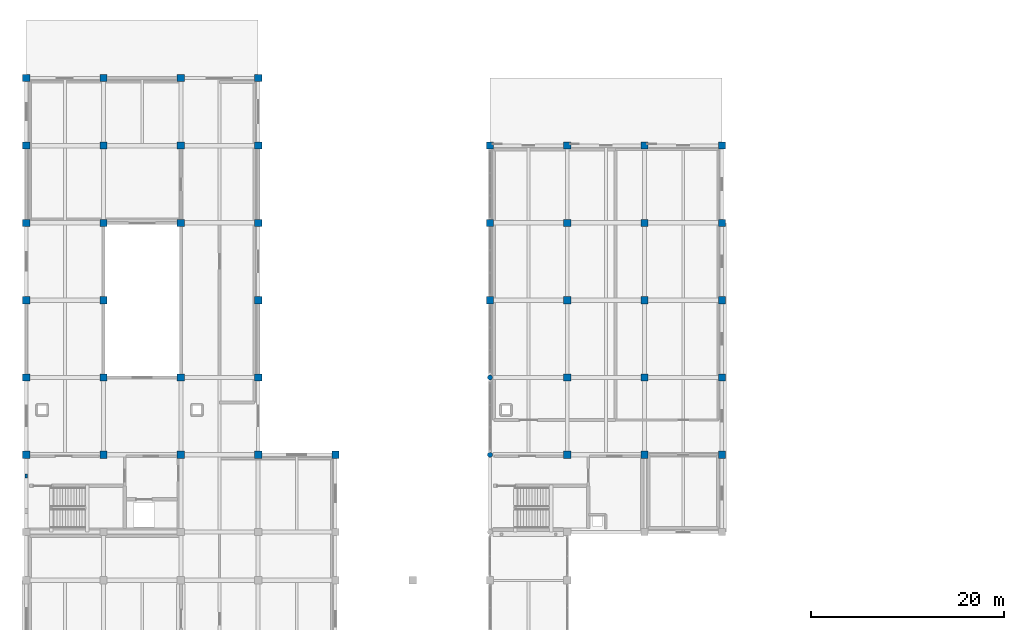
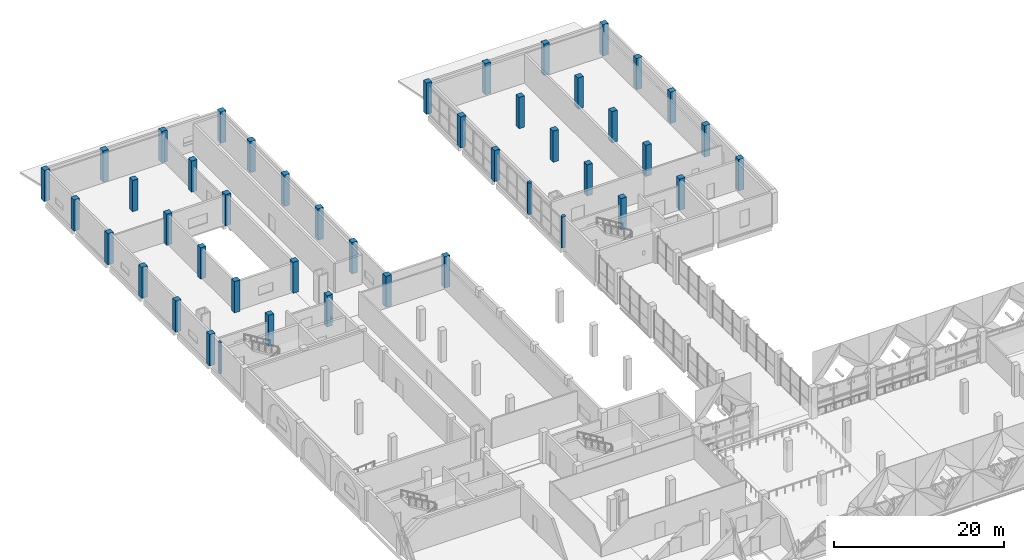
# One storey, part 3 of 53: 45 columns.
"""IFC4 building model written with IfcOpenShell, lengths in metres."""

from ifc_helpers import new_model, si_unit, direction, frame, origin, origin_2d, place, context, subcontext, project, spatial, rectangle, circle, extrude, material, material_profile, profile_set, type_object, element, save


model = new_model("IFC4")

# Units and contexts
model_context = context("Model", 3, precision=1e-05, world=origin(), true_north=direction((0.0, 1.0)))
body_context = subcontext(model_context, "Body", "Model", "MODEL_VIEW")
ifc_project = project(units=[si_unit("LENGTHUNIT", "METRE"), si_unit("AREAUNIT", "SQUARE_METRE"), si_unit("VOLUMEUNIT", "CUBIC_METRE"), si_unit("PLANEANGLEUNIT", "RADIAN"), si_unit("MASSUNIT", "GRAM", prefix="KILO")], contexts=[model_context])

# Site, building, storey
site_placement = place(None, origin())
site = spatial("IfcSite", under=ifc_project, at=site_placement, CompositionType="ELEMENT")
building_placement = place(site_placement, origin())
building = spatial("IfcBuilding", under=site, at=building_placement, Name="Qorikala Patio Media Centre", CompositionType="ELEMENT")
storey_placement = place(building_placement, frame((0.0, 0.0, 5.39990234375)))
storey = spatial("IfcBuildingStorey", under=building, at=storey_placement, Name="L01", CompositionType="ELEMENT", Elevation=5.39990234375)

# Columns
ifc_material_1 = material(Name="Comanche Granite and Concrete C35/45", Category="masonry")
ifc_material_profile_1 = material_profile(ifc_material_1, circle(Radius=0.260009765625, at=origin_2d()), Name="STONE COL D520")
ifc_profile_set_1 = profile_set([ifc_material_profile_1], Name="Comanche Granite and Concrete C35/45")
column_type_1 = type_object("IfcColumnType", Name="COL-ARC-520", PredefinedType="COLUMN", material=ifc_profile_set_1)
for number, where, z_axis, x_axis, name in (
    (1, (51.0, 72.0, 0.0), (0.0, 0.0, 1.0), (1.0, 0.0, 0.0), "L01 Column (51,72)"),
    (2, (51.0, 80.0, 0.0), (0.0, 0.0, 1.0), (1.0, 0.0, 0.0), "L01 Column (51,80)"),
):
    element("IfcColumn", number, at=place(storey_placement, frame(where, z_axis=z_axis, x_axis=x_axis)), inside=storey, type_object=column_type_1, Name=name, PredefinedType="COLUMN", context=body_context, shape_type="SweptSolid", body=[
        extrude(circle(Radius=0.260009765625, at=origin_2d()), origin(), (0.0, 0.0, 1.0), 4.5),
    ])
ifc_material_profile_2 = material_profile(ifc_material_1, rectangle(XDim=0.43994140625, YDim=0.280029296875, at=origin_2d()), Name="PIL 440x280")
ifc_profile_set_2 = profile_set([ifc_material_profile_2], Name="Comanche Granite and Concrete C35/45")
column_type_2 = type_object("IfcColumnType", Name="PIL-440X280", PredefinedType="PILASTER", material=ifc_profile_set_2)
column_placement = place(storey_placement, frame((3.0, 69.800048828125, 0.0), z_axis=(0.0, 0.0, 1.0), x_axis=(0.0, 1.0, 0.0)))
element("IfcColumn", 3, at=column_placement, inside=storey, type_object=column_type_2, Name="L01 West Street Core Pilaster 004", PredefinedType="PILASTER", context=body_context, shape_type="SweptSolid", body=[
    extrude(rectangle(XDim=0.43994140625, YDim=0.280029296875, at=origin_2d()), origin(), (0.0, 0.0, 1.0), 4.5),
])
ifc_material_2 = material(Name="Concrete C35/45", Category="concrete")
ifc_material_profile_3 = material_profile(ifc_material_2, rectangle(XDim=0.75, YDim=0.75, at=origin_2d()), Name="RC 750x750")
ifc_profile_set_3 = profile_set([ifc_material_profile_3], Name="Concrete C35/45")
column_type_3 = type_object("IfcColumnType", Name="RC-COL-750-EXT", PredefinedType="COLUMN", material=ifc_profile_set_3)
for number, where, z_axis, x_axis, name in (
    (4, (3.0, 72.0, 0.0), (0.0, 0.0, 1.0), (1.0, 0.0, 0.0), "L01 Column (3,72)"),
    (5, (3.0, 80.0, 0.0), (0.0, 0.0, 1.0), (1.0, 0.0, 0.0), "L01 Column (3,80)"),
    (6, (3.0, 88.0, 0.0), (0.0, 0.0, 1.0), (1.0, 0.0, 0.0), "L01 Column (3,88)"),
    (7, (3.0, 96.0, 0.0), (0.0, 0.0, 1.0), (1.0, 0.0, 0.0), "L01 Column (3,96)"),
    (8, (3.0, 104.0, 0.0), (0.0, 0.0, 1.0), (1.0, 0.0, 0.0), "L01 Column (3,104)"),
    (9, (3.0, 111.0, 0.0), (0.0, 0.0, 1.0), (1.0, 0.0, 0.0), "L01 Column (3,111)"),
    (10, (11.0, 111.0, 0.0), (0.0, 0.0, 1.0), (1.0, 0.0, 0.0), "L01 Column (11,111)"),
    (11, (19.0, 111.0, 0.0), (0.0, 0.0, 1.0), (1.0, 0.0, 0.0), "L01 Column (19,111)"),
    (12, (27.0, 72.0, 0.0), (0.0, 0.0, 1.0), (1.0, 0.0, 0.0), "L01 Column (27,72)"),
    (13, (27.0, 80.0, 0.0), (0.0, 0.0, 1.0), (1.0, 0.0, 0.0), "L01 Column (27,80)"),
    (14, (27.0, 88.0, 0.0), (0.0, 0.0, 1.0), (1.0, 0.0, 0.0), "L01 Column (27,88)"),
    (15, (27.0, 96.0, 0.0), (0.0, 0.0, 1.0), (1.0, 0.0, 0.0), "L01 Column (27,96)"),
    (16, (27.0, 104.0, 0.0), (0.0, 0.0, 1.0), (1.0, 0.0, 0.0), "L01 Column (27,104)"),
    (17, (27.0, 111.0, 0.0), (0.0, 0.0, 1.0), (1.0, 0.0, 0.0), "L01 Column (27,111)"),
    (18, (35.0, 72.0, 0.0), (0.0, 0.0, 1.0), (1.0, 0.0, 0.0), "L01 Column (35,72)"),
    (19, (51.0, 88.0, 0.0), (0.0, 0.0, 1.0), (1.0, 0.0, 0.0), "L01 Column (51,88)"),
    (20, (51.0, 96.0, 0.0), (0.0, 0.0, 1.0), (1.0, 0.0, 0.0), "L01 Column (51,96)"),
    (21, (51.0, 104.0, 0.0), (0.0, 0.0, 1.0), (1.0, 0.0, 0.0), "L01 Column (51,104)"),
    (22, (59.0, 104.0, 0.0), (0.0, 0.0, 1.0), (1.0, 0.0, 0.0), "L01 Column (59,104)"),
    (23, (67.0, 104.0, 0.0), (0.0, 0.0, 1.0), (1.0, 0.0, 0.0), "L01 Column (67,104)"),
    (24, (75.0, 72.0, 0.0), (0.0, 0.0, 1.0), (1.0, 0.0, 0.0), "L01 Column (75,72)"),
    (25, (75.0, 80.0, 0.0), (0.0, 0.0, 1.0), (1.0, 0.0, 0.0), "L01 Column (75,80)"),
    (26, (75.0, 88.0, 0.0), (0.0, 0.0, 1.0), (1.0, 0.0, 0.0), "L01 Column (75,88)"),
    (27, (75.0, 96.0, 0.0), (0.0, 0.0, 1.0), (1.0, 0.0, 0.0), "L01 Column (75,96)"),
    (28, (75.0, 104.0, 0.0), (0.0, 0.0, 1.0), (1.0, 0.0, 0.0), "L01 Column (75,104)"),
):
    element("IfcColumn", number, at=place(storey_placement, frame(where, z_axis=z_axis, x_axis=x_axis)), inside=storey, type_object=column_type_3, Name=name, PredefinedType="COLUMN", context=body_context, shape_type="SweptSolid", body=[
        extrude(rectangle(XDim=0.75, YDim=0.75, at=origin_2d()), origin(), (0.0, 0.0, 1.0), 4.5),
    ])
ifc_material_profile_4 = material_profile(ifc_material_2, rectangle(XDim=0.75, YDim=0.75, at=origin_2d()), Name="RC 750x750")
ifc_profile_set_4 = profile_set([ifc_material_profile_4], Name="Concrete C35/45")
column_type_4 = type_object("IfcColumnType", Name="RC-COL-750-INT", PredefinedType="COLUMN", material=ifc_profile_set_4)
for number, where, z_axis, x_axis, name in (
    (29, (11.0, 72.0, 0.0), (0.0, 0.0, 1.0), (1.0, 0.0, 0.0), "L01 Column (11,72)"),
    (30, (11.0, 80.0, 0.0), (0.0, 0.0, 1.0), (1.0, 0.0, 0.0), "L01 Column (11,80)"),
    (31, (11.0, 88.0, 0.0), (0.0, 0.0, 1.0), (1.0, 0.0, 0.0), "L01 Column (11,88)"),
    (32, (11.0, 96.0, 0.0), (0.0, 0.0, 1.0), (1.0, 0.0, 0.0), "L01 Column (11,96)"),
    (33, (11.0, 104.0, 0.0), (0.0, 0.0, 1.0), (1.0, 0.0, 0.0), "L01 Column (11,104)"),
    (34, (19.0, 72.0, 0.0), (0.0, 0.0, 1.0), (1.0, 0.0, 0.0), "L01 Column (19,72)"),
    (35, (19.0, 80.0, 0.0), (0.0, 0.0, 1.0), (1.0, 0.0, 0.0), "L01 Column (19,80)"),
    (36, (19.0, 96.0, 0.0), (0.0, 0.0, 1.0), (1.0, 0.0, 0.0), "L01 Column (19,96)"),
    (37, (19.0, 104.0, 0.0), (0.0, 0.0, 1.0), (1.0, 0.0, 0.0), "L01 Column (19,104)"),
    (38, (59.0, 72.0, 0.0), (0.0, 0.0, 1.0), (1.0, 0.0, 0.0), "L01 Column (59,72)"),
    (39, (59.0, 80.0, 0.0), (0.0, 0.0, 1.0), (1.0, 0.0, 0.0), "L01 Column (59,80)"),
    (40, (59.0, 88.0, 0.0), (0.0, 0.0, 1.0), (1.0, 0.0, 0.0), "L01 Column (59,88)"),
    (41, (59.0, 96.0, 0.0), (0.0, 0.0, 1.0), (1.0, 0.0, 0.0), "L01 Column (59,96)"),
    (42, (67.0, 72.0, 0.0), (0.0, 0.0, 1.0), (1.0, 0.0, 0.0), "L01 Column (67,72)"),
    (43, (67.0, 80.0, 0.0), (0.0, 0.0, 1.0), (1.0, 0.0, 0.0), "L01 Column (67,80)"),
    (44, (67.0, 88.0, 0.0), (0.0, 0.0, 1.0), (1.0, 0.0, 0.0), "L01 Column (67,88)"),
    (45, (67.0, 96.0, 0.0), (0.0, 0.0, 1.0), (1.0, 0.0, 0.0), "L01 Column (67,96)"),
):
    element("IfcColumn", number, at=place(storey_placement, frame(where, z_axis=z_axis, x_axis=x_axis)), inside=storey, type_object=column_type_4, Name=name, PredefinedType="COLUMN", context=body_context, shape_type="SweptSolid", body=[
        extrude(rectangle(XDim=0.75, YDim=0.75, at=origin_2d()), origin(), (0.0, 0.0, 1.0), 4.5),
    ])

save(model, "model.ifc")
